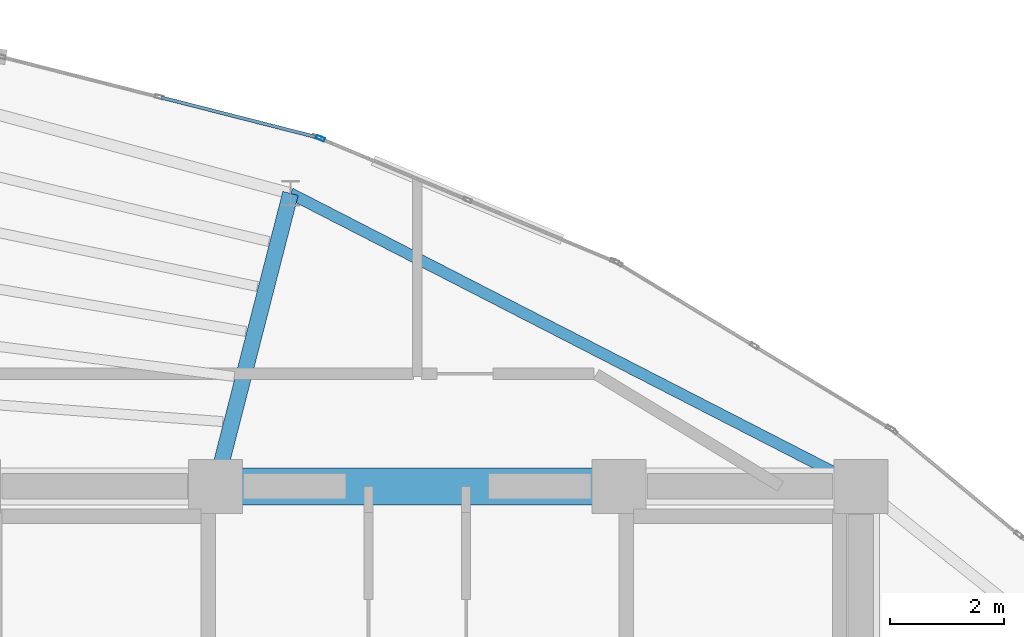
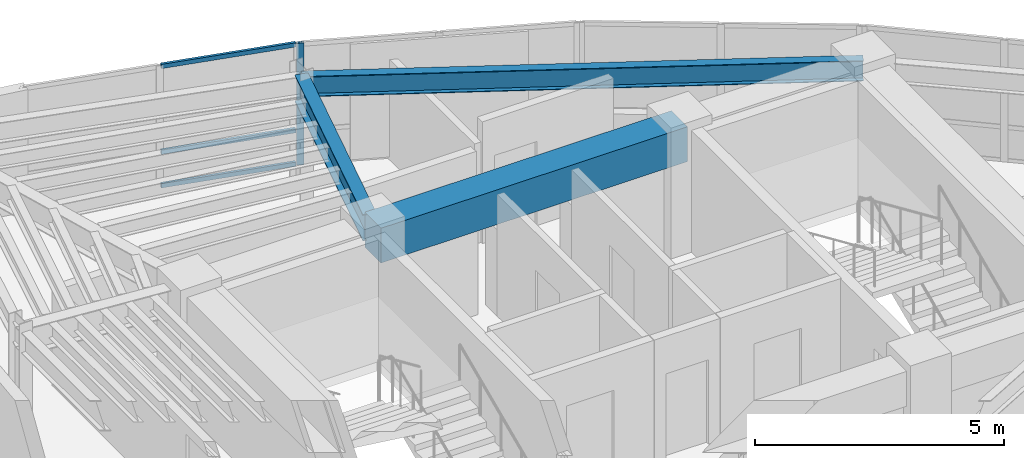
# One storey, part 8 of 14: 4 members, 3 beams, 2 elements without a shape of their own.
"""IFC4 building model written with IfcOpenShell, lengths in metres."""

from ifc_helpers import new_model, si_unit, direction, frame, origin, origin_2d, place, context, subcontext, project, spatial, rectangle, hollow_rectangle, i_section, extrude, material, layer, layer_set, material_profile, profile_set, type_object, element, aggregate, save


model = new_model("IFC4")

# Units and contexts
model_context = context("Model", 3, precision=1e-05, world=origin(), true_north=direction((0.0, 1.0)))
body_context = subcontext(model_context, "Body", "Model", "MODEL_VIEW")
ifc_project = project(units=[si_unit("LENGTHUNIT", "METRE"), si_unit("AREAUNIT", "SQUARE_METRE"), si_unit("VOLUMEUNIT", "CUBIC_METRE"), si_unit("PLANEANGLEUNIT", "RADIAN"), si_unit("MASSUNIT", "GRAM", prefix="KILO")], contexts=[model_context])

# Site, building, storey
site_placement = place(None, origin())
site = spatial("IfcSite", under=ifc_project, at=site_placement, CompositionType="ELEMENT")
building_placement = place(site_placement, origin())
building = spatial("IfcBuilding", under=site, at=building_placement, Name="Menara Vayukalpa", CompositionType="ELEMENT")
storey_placement = place(building_placement, frame((0.0, 0.0, 302.419921875)))
storey = spatial("IfcBuildingStorey", under=building, at=storey_placement, Name="L77", CompositionType="ELEMENT", Elevation=302.419921875)

# Beams
ifc_material_1 = material(Name="Concrete C60/75", Category="concrete")
ifc_material_profile_1 = material_profile(ifc_material_1, rectangle(XDim=0.64990234375, YDim=0.85009765625, at=origin_2d()), Name="RC 650x850")
ifc_profile_set_1 = profile_set([ifc_material_profile_1], Name="Concrete C60/75")
beam_type_1 = type_object("IfcBeamType", Name="BM-CB1", PredefinedType="BEAM", material=ifc_profile_set_1)
beam_1_placement = place(storey_placement, frame((22.050048828125, 26.800048828125, 2.55517578125), z_axis=(1.0, 0.0, 0.0), x_axis=(0.0, 1.0, 0.0)))
element("IfcBeam", 1, at=beam_1_placement, inside=storey, type_object=beam_type_1, Name="L77 Core Tie Beam CBR5", PredefinedType="BEAM", context=body_context, shape_type="SweptSolid", body=[
    extrude(rectangle(XDim=0.64990234375, YDim=0.85009765625, at=origin_2d()), origin(), (0.0, 0.0, 1.0), 7.099853515625),
])
ifc_material_2 = material(Name="Steel S355", Category="steel")
ifc_material_profile_2 = material_profile(ifc_material_2, i_section(OverallWidth=0.280029296875, OverallDepth=0.64990234375, WebThickness=0.012939453125, FlangeThickness=0.02197265625, at=origin_2d()), Name="WF 650x280x13x22")
ifc_profile_set_2 = profile_set([ifc_material_profile_2], Name="Steel S355")
beam_type_2 = type_object("IfcBeamType", Name="BM-PG6", PredefinedType="BEAM", material=ifc_profile_set_2)
beam_2_placement = place(storey_placement, frame((22.112060546875, 27.042236328125, 2.655029296875), z_axis=(0.248427525231, 0.968650486351, 0.0), x_axis=(-0.968650486351, 0.248427525231, 0.0)))
element("IfcBeam", 2, at=beam_2_placement, inside=storey, type_object=beam_type_2, Name="L77 Primary Radial Girder RG03", PredefinedType="BEAM", context=body_context, shape_type="SweptSolid", body=[
    extrude(i_section(OverallWidth=0.280029296875, OverallDepth=0.64990234375, WebThickness=0.012939453125, FlangeThickness=0.02197265625, at=origin_2d()), origin(), (0.0, 0.0, 1.0), 5.066162109375),
])
ifc_material_3 = material(Name="Steel S355", Category="steel")
ifc_material_profile_3 = material_profile(ifc_material_3, i_section(OverallWidth=0.199951171875, OverallDepth=0.5, WebThickness=0.010009765625, FlangeThickness=0.01611328125, at=origin_2d()), Name="WF 500x200x10x16")
ifc_profile_set_3 = profile_set([ifc_material_profile_3], Name="Steel S355")
beam_type_3 = type_object("IfcBeamType", Name="BM-SP3", PredefinedType="SPANDREL", material=ifc_profile_set_3)
beam_3_placement = place(storey_placement, frame((33.39990234375, 26.800048828125, 2.72998046875), z_axis=(-0.889594604964, 0.456750959297, 0.0), x_axis=(-0.456750959297, -0.889594604964, 0.0)))
element("IfcBeam", 3, at=beam_3_placement, inside=storey, type_object=beam_type_3, Name="L77 Perimeter Spandrel Beam SP02", PredefinedType="SPANDREL", context=body_context, shape_type="SweptSolid", body=[
    extrude(i_section(OverallWidth=0.199951171875, OverallDepth=0.5, WebThickness=0.010009765625, FlangeThickness=0.01611328125, at=origin_2d()), origin(), (0.0, 0.0, 1.0), 11.27392578125),
])

# Curtain wall, member
ifc_material_4 = material(Name="Anodised Terracotta Aluminium Alloy 6063-T6", Category="masonry")
ifc_layer = layer(ifc_material_4, 0.14990234375)
ifc_layer_set = layer_set([ifc_layer], Name="Anodised Terracotta Aluminium Alloy 6063-T6")
curtain_wall_type = type_object("IfcCurtainWallType", Name="CW-CW7", PredefinedType="USERDEFINED", material=ifc_layer_set)
curtain_wall_1_placement = place(storey_placement, origin())
curtain_wall_1 = element("IfcCurtainWall", 4, at=curtain_wall_1_placement, inside=storey, type_object=curtain_wall_type, Name="L77 Crown Drum Screened Curtain Wall CW7 05", ObjectType="UNITISED", PredefinedType="USERDEFINED")
ifc_material_5 = material(Name="Anodised Terracotta Aluminium Alloy 6063-T6", Category="masonry")
ifc_material_profile_4 = material_profile(ifc_material_5, hollow_rectangle(XDim=0.06494140625, YDim=0.14990234375, WallThickness=0.00341796875, at=origin_2d()), Name="ALU 65x150x3.5")
ifc_profile_set_4 = profile_set([ifc_material_profile_4], Name="Anodised Terracotta Aluminium Alloy 6063-T6")
member_type_1 = type_object("IfcMemberType", Name="CWM-CW7", PredefinedType="MULLION", material=ifc_profile_set_4)
member_1_placement = place(storey_placement, frame((23.89990234375, 32.9169921875, 0.0), z_axis=(0.0, 0.0, 1.0), x_axis=(-0.385898361946, -0.922541302191, 0.0)))
member_1 = element("IfcMember", 5, at=member_1_placement, type_object=member_type_1, Name="CW7 mullion 3", PredefinedType="MULLION", context=body_context, shape_type="SweptSolid", body=[
    extrude(hollow_rectangle(XDim=0.06494140625, YDim=0.14990234375, WallThickness=0.00341796875, at=origin_2d()), origin(), (0.0, 0.0, 1.0), 2.97998046875),
])
aggregate(curtain_wall_1, [member_1])

# Curtain wall, members
curtain_wall_2_placement = place(storey_placement, origin())
curtain_wall_2 = element("IfcCurtainWall", 6, at=curtain_wall_2_placement, inside=storey, type_object=curtain_wall_type, Name="L77 Crown Drum Screened Curtain Wall CW7 06", ObjectType="UNITISED", PredefinedType="USERDEFINED")
ifc_material_6 = material(Name="Anodised Terracotta Aluminium Alloy 6063-T6", Category="masonry")
ifc_material_profile_5 = material_profile(ifc_material_6, hollow_rectangle(XDim=0.06005859375, YDim=0.10498046875, WallThickness=0.0029296875, at=origin_2d()), Name="ALU 60x105x3")
ifc_profile_set_5 = profile_set([ifc_material_profile_5], Name="Anodised Terracotta Aluminium Alloy 6063-T6")
member_type_2 = type_object("IfcMemberType", Name="CWT-CW7", PredefinedType="USERDEFINED", material=ifc_profile_set_5)
member_2_placement = place(storey_placement, frame((23.806884765625, 32.945556640625, 0.030029296875), z_axis=(-0.968962149671, 0.247209127066, 0.0), x_axis=(-0.247209127066, -0.968962149671, 0.0)))
member_2 = element("IfcMember", 7, at=member_2_placement, type_object=member_type_2, Name="CW7 transom 1.1", ObjectType="TRANSOM", PredefinedType="USERDEFINED", context=body_context, shape_type="SweptSolid", body=[
    extrude(hollow_rectangle(XDim=0.06005859375, YDim=0.10498046875, WallThickness=0.0029296875, at=origin_2d()), origin(), (0.0, 0.0, 1.0), 2.80078125),
])
member_3_placement = place(storey_placement, frame((23.806884765625, 32.945556640625, 0.85009765625), z_axis=(-0.968962149671, 0.247209127066, 0.0), x_axis=(-0.247209127066, -0.968962149671, 0.0)))
member_3 = element("IfcMember", 8, at=member_3_placement, type_object=member_type_2, Name="CW7 transom 1.2", ObjectType="TRANSOM", PredefinedType="USERDEFINED", context=body_context, shape_type="SweptSolid", body=[
    extrude(hollow_rectangle(XDim=0.06005859375, YDim=0.10498046875, WallThickness=0.0029296875, at=origin_2d()), origin(), (0.0, 0.0, 1.0), 2.80078125),
])
member_4_placement = place(storey_placement, frame((23.806884765625, 32.945556640625, 2.9501953125), z_axis=(-0.968962149671, 0.247209127066, 0.0), x_axis=(-0.247209127066, -0.968962149671, 0.0)))
member_4 = element("IfcMember", 9, at=member_4_placement, type_object=member_type_2, Name="CW7 transom 1.3", ObjectType="TRANSOM", PredefinedType="USERDEFINED", context=body_context, shape_type="SweptSolid", body=[
    extrude(hollow_rectangle(XDim=0.06005859375, YDim=0.10498046875, WallThickness=0.0029296875, at=origin_2d()), origin(), (0.0, 0.0, 1.0), 2.80078125),
])
aggregate(curtain_wall_2, [member_2, member_3, member_4])

save(model, "model.ifc")
